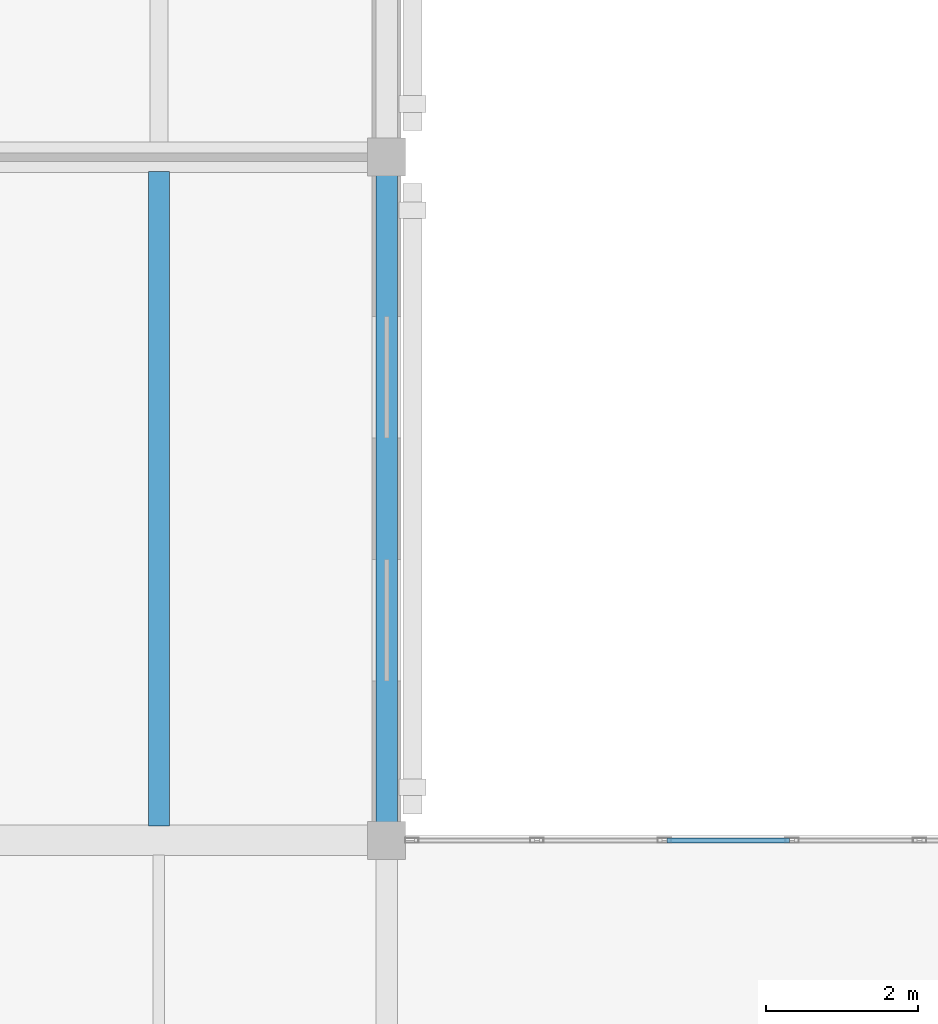
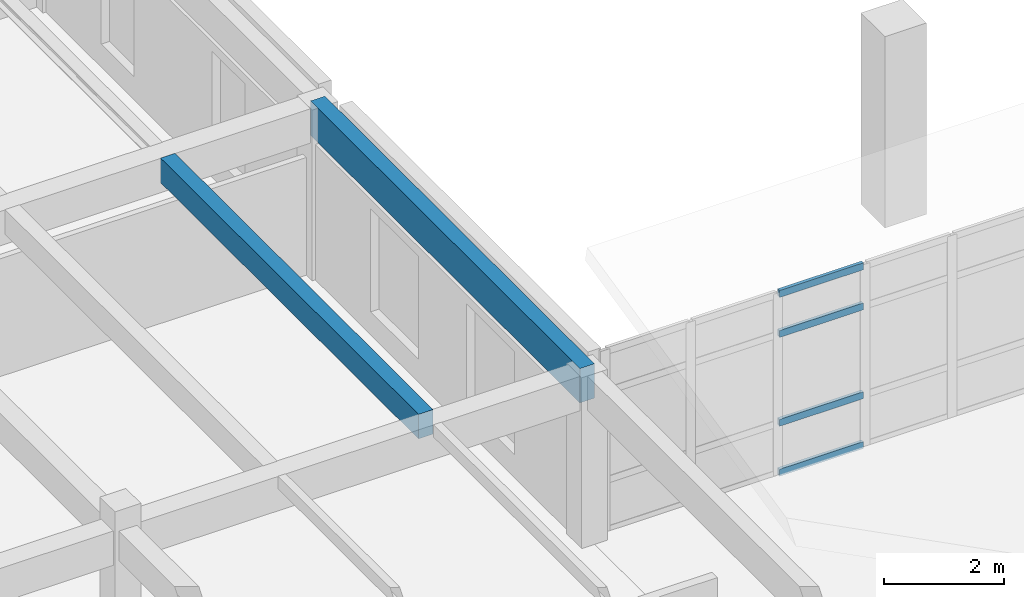
# One storey, part 8 of 156: 4 members, 2 beams, 1 element without a shape of its own.
"""IFC4 building model written with IfcOpenShell, lengths in metres."""

from ifc_helpers import new_model, si_unit, direction, frame, origin, origin_2d, place, context, subcontext, project, spatial, rectangle, hollow_rectangle, extrude, material, layer, layer_set, material_profile, profile_set, type_object, element, aggregate, save


model = new_model("IFC4")

# Units and contexts
model_context = context("Model", 3, precision=1e-05, world=origin(), true_north=direction((0.0, 1.0)))
body_context = subcontext(model_context, "Body", "Model", "MODEL_VIEW")
ifc_project = project(units=[si_unit("LENGTHUNIT", "METRE"), si_unit("AREAUNIT", "SQUARE_METRE"), si_unit("VOLUMEUNIT", "CUBIC_METRE"), si_unit("PLANEANGLEUNIT", "RADIAN"), si_unit("MASSUNIT", "GRAM", prefix="KILO")], contexts=[model_context])

# Site, building, storey
site_placement = place(None, origin())
site = spatial("IfcSite", under=ifc_project, at=site_placement, CompositionType="ELEMENT")
building_placement = place(site_placement, origin())
building = spatial("IfcBuilding", under=site, at=building_placement, Name="Ornek Quay Market", CompositionType="ELEMENT")
storey_placement = place(building_placement, frame((0.0, 0.0, 4.5)))
storey = spatial("IfcBuildingStorey", under=building, at=storey_placement, Name="L01", CompositionType="ELEMENT", Elevation=4.5)

# Beams
ifc_material_1 = material(Name="Concrete C35/45", Category="concrete")
ifc_material_profile_1 = material_profile(ifc_material_1, rectangle(XDim=0.280029296875, YDim=0.5, at=origin_2d()), Name="RC 280x500", Category="concrete")
ifc_profile_set_1 = profile_set([ifc_material_profile_1], Name="Concrete C35/45")
beam_type_1 = type_object("IfcBeamType", Name="BM-SEC-280x500", PredefinedType="JOIST", material=ifc_profile_set_1)
beam_1_placement = place(storey_placement, frame((24.0, 29.19189453125, 3.22998046875), z_axis=(0.0, 1.0, 0.0), x_axis=(-1.0, 0.0, 0.0)))
element("IfcBeam", 1, at=beam_1_placement, inside=storey, type_object=beam_type_1, Name="Secondary joist B-SC2-036", PredefinedType="JOIST", context=body_context, shape_type="SweptSolid", body=[
    extrude(rectangle(XDim=0.280029296875, YDim=0.5, at=origin_2d()), origin(), (0.0, 0.0, 1.0), 8.6162109375),
])
ifc_material_profile_2 = material_profile(ifc_material_1, rectangle(XDim=0.280029296875, YDim=0.699951171875, at=origin_2d()), Name="RC 280x700", Category="concrete")
ifc_profile_set_2 = profile_set([ifc_material_profile_2], Name="Concrete C35/45")
beam_type_2 = type_object("IfcBeamType", Name="BM-SPN-280x700", PredefinedType="SPANDREL", material=ifc_profile_set_2)
beam_2_placement = place(storey_placement, frame((27.0, 29.0, 3.1298828125), z_axis=(0.0, 1.0, 0.0), x_axis=(-1.0, 0.0, 0.0)))
element("IfcBeam", 2, at=beam_2_placement, inside=storey, type_object=beam_type_2, Name="Primary beam B-SP2-013", PredefinedType="SPANDREL", context=body_context, shape_type="SweptSolid", body=[
    extrude(rectangle(XDim=0.280029296875, YDim=0.699951171875, at=origin_2d()), origin(), (0.0, 0.0, 1.0), 9.0),
])

# Curtain wall, members
ifc_material_2 = material(Name="Anodised bronze aluminium and triple low-e glass", Category="aluminium")
ifc_layer = layer(ifc_material_2, 0.199951171875, Name="Anodised bronze aluminium and triple low-e glass", Category="aluminium")
ifc_layer_set = layer_set([ifc_layer], Name="Anodised bronze aluminium and triple low-e glass")
curtain_wall_type = type_object("IfcCurtainWallType", Name="CW-CONC-MOD1800", PredefinedType="USERDEFINED", material=ifc_layer_set)
curtain_wall_placement = place(storey_placement, origin())
curtain_wall = element("IfcCurtainWall", 3, at=curtain_wall_placement, inside=storey, type_object=curtain_wall_type, Name="Curtain wall CW-015", ObjectType="CURTAIN WALL", PredefinedType="USERDEFINED")
ifc_material_3 = material(Name="Anodised aluminium 6063-T6", Category="aluminium")
ifc_material_profile_3 = material_profile(ifc_material_3, hollow_rectangle(XDim=0.06494140625, YDim=0.139892578125, WallThickness=0.00439453125, at=origin_2d()), Name="CW-TRN-65x140", Category="aluminium")
ifc_profile_set_3 = profile_set([ifc_material_profile_3], Name="Anodised aluminium 6063-T6")
member_type = type_object("IfcMemberType", Name="CW-TRN-65x140", PredefinedType="USERDEFINED", material=ifc_profile_set_3)
member_1_placement = place(storey_placement, frame((30.6923828125, 29.0, 0.032470703125), z_axis=(1.0, 0.0, 0.0), x_axis=(0.0, 1.0, 0.0)))
member_1 = element("IfcMember", 4, at=member_1_placement, type_object=member_type, Name="CW-015 transom 3.1", ObjectType="TRANSOM", PredefinedType="USERDEFINED", context=body_context, shape_type="SweptSolid", body=[
    extrude(hollow_rectangle(XDim=0.06494140625, YDim=0.139892578125, WallThickness=0.00439453125, at=origin_2d()), origin(), (0.0, 0.0, 1.0), 1.615234375),
])
member_2_placement = place(storey_placement, frame((30.6923828125, 29.0, 1.050048828125), z_axis=(1.0, 0.0, 0.0), x_axis=(0.0, 1.0, 0.0)))
member_2 = element("IfcMember", 5, at=member_2_placement, type_object=member_type, Name="CW-015 transom 3.2", ObjectType="TRANSOM", PredefinedType="USERDEFINED", context=body_context, shape_type="SweptSolid", body=[
    extrude(hollow_rectangle(XDim=0.06494140625, YDim=0.139892578125, WallThickness=0.00439453125, at=origin_2d()), origin(), (0.0, 0.0, 1.0), 1.615234375),
])
member_3_placement = place(storey_placement, frame((30.6923828125, 29.0, 2.860107421875), z_axis=(1.0, 0.0, 0.0), x_axis=(0.0, 1.0, 0.0)))
member_3 = element("IfcMember", 6, at=member_3_placement, type_object=member_type, Name="CW-015 transom 3.3", ObjectType="TRANSOM", PredefinedType="USERDEFINED", context=body_context, shape_type="SweptSolid", body=[
    extrude(hollow_rectangle(XDim=0.06494140625, YDim=0.139892578125, WallThickness=0.00439453125, at=origin_2d()), origin(), (0.0, 0.0, 1.0), 1.615234375),
])
member_4_placement = place(storey_placement, frame((30.6923828125, 29.0, 3.677490234375), z_axis=(1.0, 0.0, 0.0), x_axis=(0.0, 1.0, 0.0)))
member_4 = element("IfcMember", 7, at=member_4_placement, type_object=member_type, Name="CW-015 transom 3.4", ObjectType="TRANSOM", PredefinedType="USERDEFINED", context=body_context, shape_type="SweptSolid", body=[
    extrude(hollow_rectangle(XDim=0.06494140625, YDim=0.139892578125, WallThickness=0.00439453125, at=origin_2d()), origin(), (0.0, 0.0, 1.0), 1.615234375),
])
aggregate(curtain_wall, [member_1, member_2, member_3, member_4])

save(model, "model.ifc")
